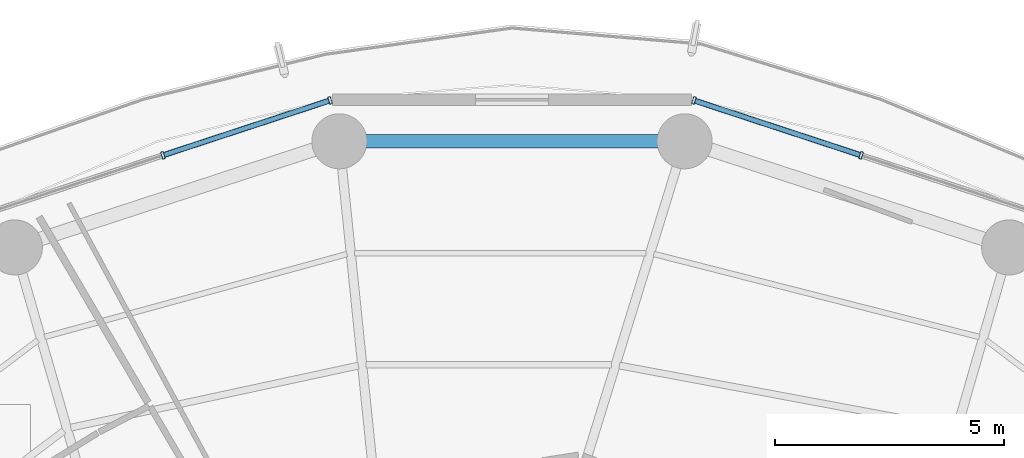
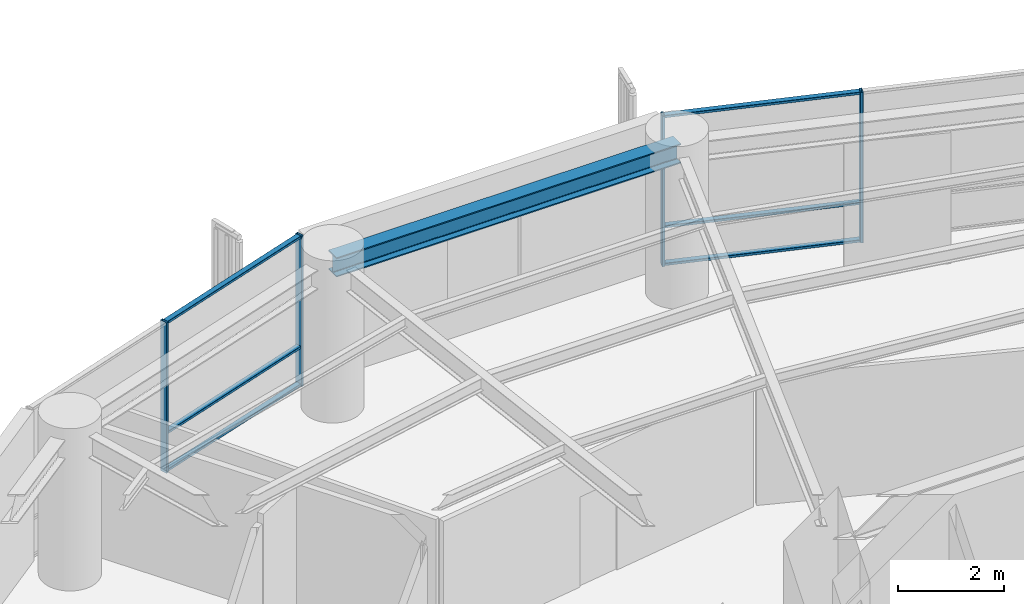
# One storey, part 18 of 27: 10 members, 1 beam, 2 elements without a shape of their own.
"""IFC4 building model written with IfcOpenShell, lengths in metres."""

from ifc_helpers import new_model, si_unit, direction, frame, origin, origin_2d, place, context, subcontext, project, spatial, hollow_rectangle, i_section, extrude, material, layer, layer_set, material_profile, profile_set, type_object, element, aggregate, save


model = new_model("IFC4")

# Units and contexts
model_context = context("Model", 3, precision=1e-05, world=origin(), true_north=direction((0.0, 1.0)))
body_context = subcontext(model_context, "Body", "Model", "MODEL_VIEW")
ifc_project = project(units=[si_unit("LENGTHUNIT", "METRE"), si_unit("AREAUNIT", "SQUARE_METRE"), si_unit("VOLUMEUNIT", "CUBIC_METRE"), si_unit("PLANEANGLEUNIT", "RADIAN"), si_unit("MASSUNIT", "GRAM", prefix="KILO")], contexts=[model_context])

# Site, building, storey
site_placement = place(None, origin())
site = spatial("IfcSite", under=ifc_project, at=site_placement, CompositionType="ELEMENT")
building_placement = place(site_placement, origin())
building = spatial("IfcBuilding", under=site, at=building_placement, Name="Kelanora Arch Commons", CompositionType="ELEMENT")
storey_placement = place(building_placement, frame((0.0, 0.0, 150.60009765625)))
storey = spatial("IfcBuildingStorey", under=building, at=storey_placement, Name="L38", CompositionType="ELEMENT", Elevation=150.60009765625)

# Beam
ifc_material_1 = material(Name="Steel S355", Category="steel")
ifc_material_profile_1 = material_profile(ifc_material_1, i_section(OverallWidth=0.300048828125, OverallDepth=0.449951171875, WebThickness=0.013916015625, FlangeThickness=0.02587890625, FilletRadius=0.027099609375, at=origin_2d()), Name="HEB450")
ifc_profile_set_1 = profile_set([ifc_material_profile_1], Name="Steel S355")
beam_type = type_object("IfcBeamType", Name="BM-SPN-Z3", PredefinedType="SPANDREL", material=ifc_profile_set_1)
beam_placement = place(storey_placement, frame((77.7646484375, 77.18408203125, 3.264892578125), z_axis=(-1.0, 0.0, 0.0), x_axis=(0.0, -1.0, 0.0)))
element("IfcBeam", 1, at=beam_placement, inside=storey, type_object=beam_type, Name="Perimeter Spandrel Beam BS-08 L38", PredefinedType="SPANDREL", context=body_context, shape_type="SweptSolid", body=[
    extrude(i_section(OverallWidth=0.300048828125, OverallDepth=0.449951171875, WebThickness=0.013916015625, FlangeThickness=0.02587890625, FilletRadius=0.027099609375, at=origin_2d()), origin(), (0.0, 0.0, 1.0), 7.529296875),
])

# Curtain wall, members
ifc_material_2 = material(Name="Terracotta ceramic-fritted low-E glass and aluminium", Category="masonry")
ifc_layer = layer(ifc_material_2, 0.175048828125)
ifc_layer_set = layer_set([ifc_layer], Name="Terracotta ceramic-fritted low-E glass and aluminium")
curtain_wall_type = type_object("IfcCurtainWallType", Name="CW-SYS-02", PredefinedType="NOTDEFINED", material=ifc_layer_set)
curtain_wall_1_placement = place(storey_placement, origin())
curtain_wall_1 = element("IfcCurtainWall", 2, at=curtain_wall_1_placement, inside=storey, type_object=curtain_wall_type, Name="Unitised Curtain Wall L38-B03", PredefinedType="NOTDEFINED")
ifc_material_3 = material(Name="Powder-coated aluminium terracotta", Category="masonry")
ifc_material_profile_2 = material_profile(ifc_material_3, hollow_rectangle(XDim=0.159912109375, YDim=0.06005859375, WallThickness=0.0048828125, InnerFilletRadius=0.0048828125, OuterFilletRadius=0.010009765625, at=origin_2d()), Name="CWM160x60")
ifc_profile_set_2 = profile_set([ifc_material_profile_2], Name="Powder-coated aluminium terracotta")
member_type_1 = type_object("IfcMemberType", Name="CWM-STD", PredefinedType="MULLION", material=ifc_profile_set_2)
member_1_placement = place(storey_placement, frame((81.6123046875, 76.87841796875, 0.0), z_axis=(0.0, 0.0, 1.0), x_axis=(-0.312128279571, -0.95003996605, 0.0)))
member_1 = element("IfcMember", 3, at=member_1_placement, type_object=member_type_1, Name="CW-02 mullion 2", PredefinedType="MULLION", context=body_context, shape_type="SweptSolid", body=[
    extrude(hollow_rectangle(XDim=0.159912109375, YDim=0.06005859375, WallThickness=0.0048828125, InnerFilletRadius=0.0048828125, OuterFilletRadius=0.010009765625, at=origin_2d()), origin(), (0.0, 0.0, 1.0), 3.474853515625),
])
member_2_placement = place(storey_placement, frame((77.96728515625, 78.075927734375, 0.0), z_axis=(0.0, 0.0, 1.0), x_axis=(-0.312128279571, -0.95003996605, 0.0)))
member_2 = element("IfcMember", 4, at=member_2_placement, type_object=member_type_1, Name="CW-02 mullion 3", PredefinedType="MULLION", context=body_context, shape_type="SweptSolid", body=[
    extrude(hollow_rectangle(XDim=0.159912109375, YDim=0.06005859375, WallThickness=0.0048828125, InnerFilletRadius=0.0048828125, OuterFilletRadius=0.010009765625, at=origin_2d()), origin(), (0.0, 0.0, 1.0), 3.474853515625),
])

curtain_wall_2_placement = place(storey_placement, origin())
curtain_wall_2 = element("IfcCurtainWall", 5, at=curtain_wall_2_placement, inside=storey, type_object=curtain_wall_type, Name="Unitised Curtain Wall L38-B05", PredefinedType="NOTDEFINED")
member_3_placement = place(storey_placement, frame((70.03271484375, 78.075927734375, 0.0), z_axis=(0.0, 0.0, 1.0), x_axis=(0.312128279571, -0.95003996605, 0.0)))
member_3 = element("IfcMember", 6, at=member_3_placement, type_object=member_type_1, Name="CW-02 mullion 1", PredefinedType="MULLION", context=body_context, shape_type="SweptSolid", body=[
    extrude(hollow_rectangle(XDim=0.159912109375, YDim=0.06005859375, WallThickness=0.0048828125, InnerFilletRadius=0.0048828125, OuterFilletRadius=0.010009765625, at=origin_2d()), origin(), (0.0, 0.0, 1.0), 3.474853515625),
])
member_4_placement = place(storey_placement, frame((66.3876953125, 76.87841796875, 0.0), z_axis=(0.0, 0.0, 1.0), x_axis=(0.312128279571, -0.95003996605, 0.0)))
member_4 = element("IfcMember", 7, at=member_4_placement, type_object=member_type_1, Name="CW-02 mullion 2", PredefinedType="MULLION", context=body_context, shape_type="SweptSolid", body=[
    extrude(hollow_rectangle(XDim=0.159912109375, YDim=0.06005859375, WallThickness=0.0048828125, InnerFilletRadius=0.0048828125, OuterFilletRadius=0.010009765625, at=origin_2d()), origin(), (0.0, 0.0, 1.0), 3.474853515625),
])

# Member
ifc_material_profile_3 = material_profile(ifc_material_3, hollow_rectangle(XDim=0.1201171875, YDim=0.06005859375, WallThickness=0.0048828125, InnerFilletRadius=0.0048828125, OuterFilletRadius=0.010009765625, at=origin_2d()), Name="CWT120x60")
ifc_profile_set_3 = profile_set([ifc_material_profile_3], Name="Powder-coated aluminium terracotta")
member_type_2 = type_object("IfcMemberType", Name="CWT-STD", PredefinedType="USERDEFINED", material=ifc_profile_set_3)
member_5_placement = place(storey_placement, frame((81.583740234375, 76.887939453125, 0.02978515625), z_axis=(-0.950051191155, 0.312094111104, 0.0), x_axis=(-0.312094111104, -0.950051191155, 0.0)))
member_5 = element("IfcMember", 8, at=member_5_placement, type_object=member_type_2, Name="CW-02 transom 2.1", ObjectType="TRANSOM", PredefinedType="USERDEFINED", context=body_context, shape_type="SweptSolid", body=[
    extrude(hollow_rectangle(XDim=0.1201171875, YDim=0.06005859375, WallThickness=0.0048828125, InnerFilletRadius=0.0048828125, OuterFilletRadius=0.010009765625, at=origin_2d()), origin(), (0.0, 0.0, 1.0), 3.77685546875),
])

member_6_placement = place(storey_placement, frame((81.583740234375, 76.887939453125, 0.89990234375), z_axis=(-0.950051191155, 0.312094111104, 0.0), x_axis=(-0.312094111104, -0.950051191155, 0.0)))
member_6 = element("IfcMember", 9, at=member_6_placement, type_object=member_type_2, Name="CW-02 transom 2.2", ObjectType="TRANSOM", PredefinedType="USERDEFINED", context=body_context, shape_type="SweptSolid", body=[
    extrude(hollow_rectangle(XDim=0.1201171875, YDim=0.06005859375, WallThickness=0.0048828125, InnerFilletRadius=0.0048828125, OuterFilletRadius=0.010009765625, at=origin_2d()), origin(), (0.0, 0.0, 1.0), 3.77685546875),
])

member_7_placement = place(storey_placement, frame((81.583740234375, 76.887939453125, 3.44482421875), z_axis=(-0.950051191155, 0.312094111104, 0.0), x_axis=(-0.312094111104, -0.950051191155, 0.0)))
member_7 = element("IfcMember", 10, at=member_7_placement, type_object=member_type_2, Name="CW-02 transom 2.3", ObjectType="TRANSOM", PredefinedType="USERDEFINED", context=body_context, shape_type="SweptSolid", body=[
    extrude(hollow_rectangle(XDim=0.1201171875, YDim=0.06005859375, WallThickness=0.0048828125, InnerFilletRadius=0.0048828125, OuterFilletRadius=0.010009765625, at=origin_2d()), origin(), (0.0, 0.0, 1.0), 3.77685546875),
])

aggregate(curtain_wall_1, [member_1, member_2, member_5, member_6, member_7])

member_8_placement = place(storey_placement, frame((70.00439453125, 78.066650390625, 0.02978515625), z_axis=(-0.950051191155, -0.312094111104, 0.0), x_axis=(0.312094111104, -0.950051191155, 0.0)))
member_8 = element("IfcMember", 11, at=member_8_placement, type_object=member_type_2, Name="CW-02 transom 1.1", ObjectType="TRANSOM", PredefinedType="USERDEFINED", context=body_context, shape_type="SweptSolid", body=[
    extrude(hollow_rectangle(XDim=0.1201171875, YDim=0.06005859375, WallThickness=0.0048828125, InnerFilletRadius=0.0048828125, OuterFilletRadius=0.010009765625, at=origin_2d()), origin(), (0.0, 0.0, 1.0), 3.77685546875),
])

member_9_placement = place(storey_placement, frame((70.00439453125, 78.066650390625, 0.89990234375), z_axis=(-0.950051191155, -0.312094111104, 0.0), x_axis=(0.312094111104, -0.950051191155, 0.0)))
member_9 = element("IfcMember", 12, at=member_9_placement, type_object=member_type_2, Name="CW-02 transom 1.2", ObjectType="TRANSOM", PredefinedType="USERDEFINED", context=body_context, shape_type="SweptSolid", body=[
    extrude(hollow_rectangle(XDim=0.1201171875, YDim=0.06005859375, WallThickness=0.0048828125, InnerFilletRadius=0.0048828125, OuterFilletRadius=0.010009765625, at=origin_2d()), origin(), (0.0, 0.0, 1.0), 3.77685546875),
])

member_10_placement = place(storey_placement, frame((70.00439453125, 78.066650390625, 3.44482421875), z_axis=(-0.950051191155, -0.312094111104, 0.0), x_axis=(0.312094111104, -0.950051191155, 0.0)))
member_10 = element("IfcMember", 13, at=member_10_placement, type_object=member_type_2, Name="CW-02 transom 1.3", ObjectType="TRANSOM", PredefinedType="USERDEFINED", context=body_context, shape_type="SweptSolid", body=[
    extrude(hollow_rectangle(XDim=0.1201171875, YDim=0.06005859375, WallThickness=0.0048828125, InnerFilletRadius=0.0048828125, OuterFilletRadius=0.010009765625, at=origin_2d()), origin(), (0.0, 0.0, 1.0), 3.77685546875),
])

aggregate(curtain_wall_2, [member_3, member_4, member_8, member_9, member_10])

save(model, "model.ifc")
